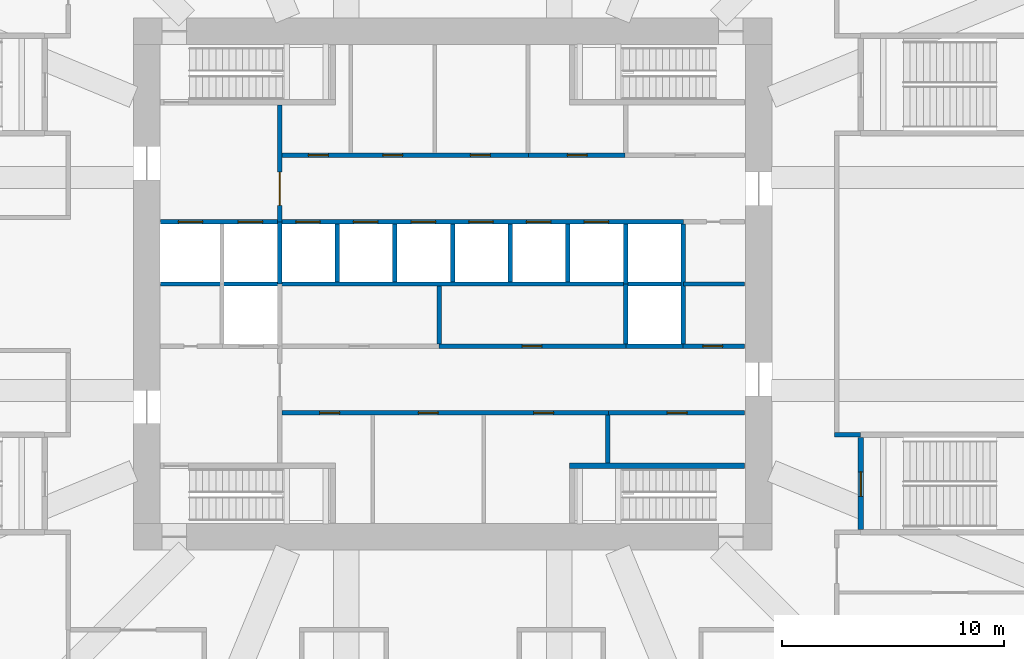
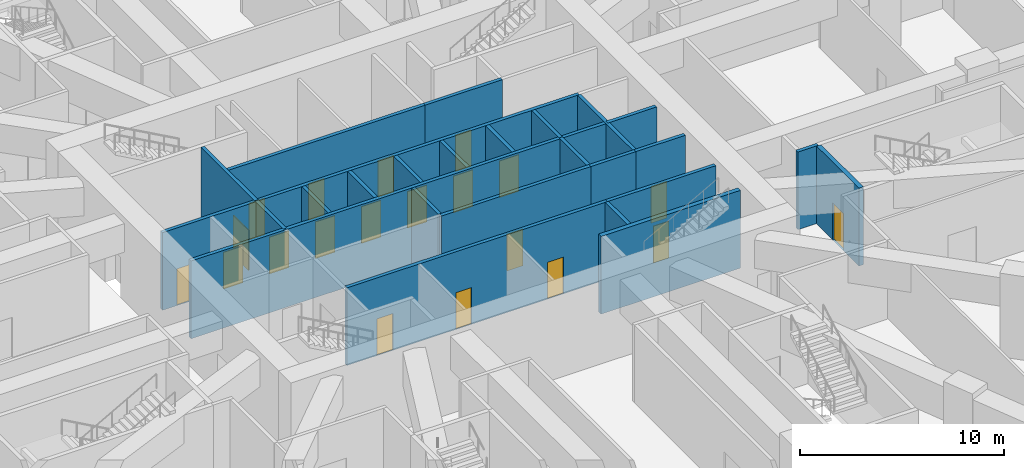
# One storey, part 17 of 25: 25 walls, 20 doors, 20 openings.
"""IFC4 building model written with IfcOpenShell, lengths in metres."""

from ifc_helpers import new_model, si_unit, direction, frame, frame_2d, origin, place, context, subcontext, project, spatial, rectangle, extrude, material, layer, layer_set, type_object, element, fill, save


model = new_model("IFC4")

# Units and contexts
model_context = context("Model", 3, precision=1e-05, world=origin(), true_north=direction((0.0, 1.0)))
body_context = subcontext(model_context, "Body", "Model", "MODEL_VIEW")
ifc_project = project(units=[si_unit("LENGTHUNIT", "METRE"), si_unit("AREAUNIT", "SQUARE_METRE"), si_unit("VOLUMEUNIT", "CUBIC_METRE"), si_unit("PLANEANGLEUNIT", "RADIAN"), si_unit("MASSUNIT", "GRAM", prefix="KILO")], contexts=[model_context])

# Site, building, storey
site_placement = place(None, origin())
site = spatial("IfcSite", under=ifc_project, at=site_placement, CompositionType="ELEMENT")
building_placement = place(site_placement, origin())
building = spatial("IfcBuilding", under=site, at=building_placement, Name="Msitu Wima Residences", CompositionType="ELEMENT")
storey_placement = place(building_placement, frame((0.0, 0.0, 11.0)))
storey = spatial("IfcBuildingStorey", under=building, at=storey_placement, Name="L02", CompositionType="ELEMENT", Elevation=11.0)

# Wall, openings, doors
ifc_material_1 = material(Name="Plaster")
ifc_layer_1 = layer(ifc_material_1, 0.011962890625, Name="Plaster")
ifc_material_2 = material(Name="Concrete blockwork", Category="masonry")
ifc_layer_2 = layer(ifc_material_2, 0.176025390625, Name="Concrete blockwork")
ifc_layer_3 = layer(ifc_material_1, 0.011962890625, Name="Plaster")
ifc_layer_set_1 = layer_set([ifc_layer_1, ifc_layer_2, ifc_layer_3], Name="Concrete blockwork")
wall_type_1 = type_object("IfcWallType", Name="Corridor wall FW200", PredefinedType="PARTITIONING", material=ifc_layer_set_1)
wall_1_placement = place(storey_placement, frame((-7.699951171875, -5.800048828125, 0.0), z_axis=(0.0, 0.0, 1.0), x_axis=(1.0, 0.0, 0.0)))
wall_1 = element("IfcWall", 1, at=wall_1_placement, inside=storey, type_object=wall_type_1, Name="Corridor wall", PredefinedType="PARTITIONING", context=body_context, shape_type="SweptSolid", body=[
    extrude(rectangle(XDim=14.719970703125, YDim=0.199951171875, at=frame_2d((7.35986328125, 0.0))), origin(), (0.0, 0.0, 1.0), 4.64990234375),
])
opening_1_placement = place(wall_1_placement, frame((1.699951171875, 0.0, 0.0)))
opening_1 = element("IfcOpeningElement", 2, at=opening_1_placement, cuts=wall_1, Name="Opening D02.017", PredefinedType="OPENING", context=body_context, shape_type="SweptSolid", body=[
    extrude(rectangle(XDim=0.89990234375, YDim=2.199951171875, at=frame_2d((0.449951171875, 1.10009765625))), frame((0.0, 0.10986328125, 0.0), z_axis=(0.0, -1.0, 0.0), x_axis=(1.0, 0.0, 0.0)), (0.0, 0.0, 1.0), 0.219970703125),
])
opening_2_placement = place(wall_1_placement, frame((6.14990234375, 0.0, 0.0)))
opening_2 = element("IfcOpeningElement", 3, at=opening_2_placement, cuts=wall_1, Name="Opening D02.018", PredefinedType="OPENING", context=body_context, shape_type="SweptSolid", body=[
    extrude(rectangle(XDim=0.89990234375, YDim=2.199951171875, at=frame_2d((0.449951171875, 1.10009765625))), frame((0.0, 0.10986328125, 0.0), z_axis=(0.0, -1.0, 0.0), x_axis=(1.0, 0.0, 0.0)), (0.0, 0.0, 1.0), 0.219970703125),
])
opening_3_placement = place(wall_1_placement, frame((11.35009765625, 0.0, 0.0)))
opening_3 = element("IfcOpeningElement", 4, at=opening_3_placement, cuts=wall_1, Name="Opening D02.019", PredefinedType="OPENING", context=body_context, shape_type="SweptSolid", body=[
    extrude(rectangle(XDim=0.89990234375, YDim=2.199951171875, at=frame_2d((0.449951171875, 1.10009765625))), frame((0.0, 0.10986328125, 0.0), z_axis=(0.0, -1.0, 0.0), x_axis=(1.0, 0.0, 0.0)), (0.0, 0.0, 1.0), 0.219970703125),
])
ifc_material_3 = material(Name="Timber flush door", Category="wood")
door_type_1 = type_object("IfcDoorType", Name="Service door D05 900x2200", OperationType="SINGLE_SWING_LEFT", PredefinedType="DOOR", material=ifc_material_3)
door_1_placement = place(opening_1_placement, origin())
door_1 = element("IfcDoor", 5, at=door_1_placement, inside=storey, type_object=door_type_1, Name="Service door", OperationType="SINGLE_SWING_LEFT", OverallHeight=2.199951171875, OverallWidth=0.89990234375, PredefinedType="DOOR", context=body_context, shape_type="SweptSolid", body=[
    extrude(rectangle(XDim=0.89990234375, YDim=2.199951171875, at=frame_2d((0.449951171875, 1.10009765625))), frame((0.0, 0.02490234375, 0.0), z_axis=(0.0, -1.0, 0.0), x_axis=(1.0, 0.0, 0.0)), (0.0, 0.0, 1.0), 0.050048828125),
])
fill(opening_1, door_1)
door_2_placement = place(opening_2_placement, origin())
door_2 = element("IfcDoor", 6, at=door_2_placement, inside=storey, type_object=door_type_1, Name="Service door", OperationType="SINGLE_SWING_RIGHT", OverallHeight=2.199951171875, OverallWidth=0.89990234375, PredefinedType="DOOR", context=body_context, shape_type="SweptSolid", body=[
    extrude(rectangle(XDim=0.89990234375, YDim=2.199951171875, at=frame_2d((0.449951171875, 1.10009765625))), frame((0.0, 0.02490234375, 0.0), z_axis=(0.0, -1.0, 0.0), x_axis=(1.0, 0.0, 0.0)), (0.0, 0.0, 1.0), 0.050048828125),
])
fill(opening_2, door_2)
door_3_placement = place(opening_3_placement, origin())
door_3 = element("IfcDoor", 7, at=door_3_placement, inside=storey, type_object=door_type_1, Name="Service door", OperationType="SINGLE_SWING_RIGHT", OverallHeight=2.199951171875, OverallWidth=0.89990234375, PredefinedType="DOOR", context=body_context, shape_type="SweptSolid", body=[
    extrude(rectangle(XDim=0.89990234375, YDim=2.199951171875, at=frame_2d((0.449951171875, 1.10009765625))), frame((0.0, 0.02490234375, 0.0), z_axis=(0.0, -1.0, 0.0), x_axis=(1.0, 0.0, 0.0)), (0.0, 0.0, 1.0), 0.050048828125),
])
fill(opening_3, door_3)

# Wall, opening, door
wall_2_placement = place(storey_placement, frame((-7.800048828125, 2.800048828125, 0.0), z_axis=(0.0, 0.0, 1.0), x_axis=(0.0, 1.0, 0.0)))
wall_2 = element("IfcWall", 8, at=wall_2_placement, inside=storey, type_object=wall_type_1, Name="Corridor wall", PredefinedType="PARTITIONING", context=body_context, shape_type="SweptSolid", body=[
    extrude(rectangle(XDim=5.27490234375, YDim=0.199951171875, at=frame_2d((2.637451171875, 0.0))), origin(), (0.0, 0.0, 1.0), 4.64990234375),
])
opening_4_placement = place(wall_2_placement, frame((0.75, 0.0, 0.0)))
opening_4 = element("IfcOpeningElement", 9, at=opening_4_placement, cuts=wall_2, Name="Opening D02.010", PredefinedType="OPENING", context=body_context, shape_type="SweptSolid", body=[
    extrude(rectangle(XDim=1.5, YDim=2.39990234375, at=frame_2d((0.75, 1.199951171875))), frame((0.0, 0.10986328125, 0.0), z_axis=(0.0, -1.0, 0.0), x_axis=(1.0, 0.0, 0.0)), (0.0, 0.0, 1.0), 0.219970703125),
])
ifc_material_4 = material(Name="Steel framed glazed door, fire resisting", Category="steel")
door_type_2 = type_object("IfcDoorType", Name="Lobby door D07 1500x2400", OperationType="DOUBLE_DOOR_SINGLE_SWING", PredefinedType="DOOR", material=ifc_material_4)
door_4_placement = place(opening_4_placement, origin())
door_4 = element("IfcDoor", 10, at=door_4_placement, inside=storey, type_object=door_type_2, Name="Lobby door", OperationType="DOUBLE_DOOR_SINGLE_SWING", OverallHeight=2.39990234375, OverallWidth=1.5, PredefinedType="DOOR", context=body_context, shape_type="SweptSolid", body=[
    extrude(rectangle(XDim=1.5, YDim=2.39990234375, at=frame_2d((0.75, 1.199951171875))), frame((0.0, 0.02490234375, 0.0), z_axis=(0.0, -1.0, 0.0), x_axis=(1.0, 0.0, 0.0)), (0.0, 0.0, 1.0), 0.050048828125),
])
fill(opening_4, door_4)

# Wall, openings, doors
wall_3_placement = place(storey_placement, frame((-7.699951171875, 5.800048828125, 0.0), z_axis=(0.0, 0.0, 1.0), x_axis=(1.0, 0.0, 0.0)))
wall_3 = element("IfcWall", 11, at=wall_3_placement, inside=storey, type_object=wall_type_1, Name="Corridor wall", PredefinedType="PARTITIONING", context=body_context, shape_type="SweptSolid", body=[
    extrude(rectangle(XDim=11.119873046875, YDim=0.199951171875, at=frame_2d((5.56005859375, 0.0))), origin(), (0.0, 0.0, 1.0), 4.64990234375),
])
opening_5_placement = place(wall_3_placement, frame((1.199951171875, 0.0, 0.0)))
opening_5 = element("IfcOpeningElement", 12, at=opening_5_placement, cuts=wall_3, Name="Opening D02.012", PredefinedType="OPENING", context=body_context, shape_type="SweptSolid", body=[
    extrude(rectangle(XDim=0.89990234375, YDim=2.199951171875, at=frame_2d((0.449951171875, 1.10009765625))), frame((0.0, 0.10986328125, 0.0), z_axis=(0.0, -1.0, 0.0), x_axis=(1.0, 0.0, 0.0)), (0.0, 0.0, 1.0), 0.219970703125),
])
opening_6_placement = place(wall_3_placement, frame((4.550048828125, 0.0, 0.0)))
opening_6 = element("IfcOpeningElement", 13, at=opening_6_placement, cuts=wall_3, Name="Opening D02.013", PredefinedType="OPENING", context=body_context, shape_type="SweptSolid", body=[
    extrude(rectangle(XDim=0.89990234375, YDim=2.199951171875, at=frame_2d((0.449951171875, 1.10009765625))), frame((0.0, 0.10986328125, 0.0), z_axis=(0.0, -1.0, 0.0), x_axis=(1.0, 0.0, 0.0)), (0.0, 0.0, 1.0), 0.219970703125),
])
opening_7_placement = place(wall_3_placement, frame((8.5, 0.0, 0.0)))
opening_7 = element("IfcOpeningElement", 14, at=opening_7_placement, cuts=wall_3, Name="Opening D02.014", PredefinedType="OPENING", context=body_context, shape_type="SweptSolid", body=[
    extrude(rectangle(XDim=0.89990234375, YDim=2.199951171875, at=frame_2d((0.449951171875, 1.10009765625))), frame((0.0, 0.10986328125, 0.0), z_axis=(0.0, -1.0, 0.0), x_axis=(1.0, 0.0, 0.0)), (0.0, 0.0, 1.0), 0.219970703125),
])
door_5_placement = place(opening_5_placement, origin())
door_5 = element("IfcDoor", 15, at=door_5_placement, inside=storey, type_object=door_type_1, Name="Service door", OperationType="SINGLE_SWING_RIGHT", OverallHeight=2.199951171875, OverallWidth=0.89990234375, PredefinedType="DOOR", context=body_context, shape_type="SweptSolid", body=[
    extrude(rectangle(XDim=0.89990234375, YDim=2.199951171875, at=frame_2d((0.449951171875, 1.10009765625))), frame((0.0, 0.02490234375, 0.0), z_axis=(0.0, -1.0, 0.0), x_axis=(1.0, 0.0, 0.0)), (0.0, 0.0, 1.0), 0.050048828125),
])
fill(opening_5, door_5)
door_6_placement = place(opening_6_placement, origin())
door_6 = element("IfcDoor", 16, at=door_6_placement, inside=storey, type_object=door_type_1, Name="Service door", OperationType="SINGLE_SWING_LEFT", OverallHeight=2.199951171875, OverallWidth=0.89990234375, PredefinedType="DOOR", context=body_context, shape_type="SweptSolid", body=[
    extrude(rectangle(XDim=0.89990234375, YDim=2.199951171875, at=frame_2d((0.449951171875, 1.10009765625))), frame((0.0, 0.02490234375, 0.0), z_axis=(0.0, -1.0, 0.0), x_axis=(1.0, 0.0, 0.0)), (0.0, 0.0, 1.0), 0.050048828125),
])
fill(opening_6, door_6)
door_7_placement = place(opening_7_placement, origin())
door_7 = element("IfcDoor", 17, at=door_7_placement, inside=storey, type_object=door_type_1, Name="Service door", OperationType="SINGLE_SWING_LEFT", OverallHeight=2.199951171875, OverallWidth=0.89990234375, PredefinedType="DOOR", context=body_context, shape_type="SweptSolid", body=[
    extrude(rectangle(XDim=0.89990234375, YDim=2.199951171875, at=frame_2d((0.449951171875, 1.10009765625))), frame((0.0, 0.02490234375, 0.0), z_axis=(0.0, -1.0, 0.0), x_axis=(1.0, 0.0, 0.0)), (0.0, 0.0, 1.0), 0.050048828125),
])
fill(opening_7, door_7)

# Wall
wall_4_placement = place(storey_placement, frame((17.22802734375, -6.800048828125, 0.0), z_axis=(0.0, 0.0, 1.0), x_axis=(1.0, 0.0, 0.0)))
element("IfcWall", 18, at=wall_4_placement, inside=storey, type_object=wall_type_1, Name="Corridor wall", PredefinedType="PARTITIONING", context=body_context, shape_type="SweptSolid", body=[
    extrude(rectangle(XDim=1.171875, YDim=0.199951171875, at=frame_2d((0.5859375, 0.0))), origin(), (0.0, 0.0, 1.0), 4.64990234375),
])

# Wall, opening, door
ifc_layer_4 = layer(ifc_material_1, 0.011962890625, Name="Plaster")
ifc_material_5 = material(Name="Reinforced concrete blockwork", Category="masonry")
ifc_layer_5 = layer(ifc_material_5, 0.176025390625, Name="Reinforced concrete blockwork")
ifc_layer_6 = layer(ifc_material_1, 0.011962890625, Name="Plaster")
ifc_layer_set_2 = layer_set([ifc_layer_4, ifc_layer_5, ifc_layer_6], Name="Reinforced concrete blockwork")
wall_type_2 = type_object("IfcWallType", Name="Plant and riser wall PL200", PredefinedType="PARTITIONING", material=ifc_layer_set_2)
wall_5_placement = place(storey_placement, frame((-0.6201171875, -2.800048828125, 0.0), z_axis=(0.0, 0.0, 1.0), x_axis=(1.0, 0.0, 0.0)))
wall_5 = element("IfcWall", 19, at=wall_5_placement, inside=storey, type_object=wall_type_2, Name="Plant and riser wall", PredefinedType="PARTITIONING", context=body_context, shape_type="SweptSolid", body=[
    extrude(rectangle(XDim=8.440185546875, YDim=0.199951171875, at=frame_2d((4.22021484375, 0.0))), origin(), (0.0, 0.0, 1.0), 4.64990234375),
])
opening_8_placement = place(wall_5_placement, frame((3.75, 0.0, 0.0)))
opening_8 = element("IfcOpeningElement", 20, at=opening_8_placement, cuts=wall_5, Name="Opening D02.024", PredefinedType="OPENING", context=body_context, shape_type="SweptSolid", body=[
    extrude(rectangle(XDim=0.89990234375, YDim=2.199951171875, at=frame_2d((0.449951171875, 1.10009765625))), frame((0.0, 0.10986328125, 0.0), z_axis=(0.0, -1.0, 0.0), x_axis=(1.0, 0.0, 0.0)), (0.0, 0.0, 1.0), 0.219970703125),
])
door_8_placement = place(opening_8_placement, origin())
door_8 = element("IfcDoor", 21, at=door_8_placement, inside=storey, type_object=door_type_1, Name="Service door", OperationType="SINGLE_SWING_LEFT", OverallHeight=2.199951171875, OverallWidth=0.89990234375, PredefinedType="DOOR", context=body_context, shape_type="SweptSolid", body=[
    extrude(rectangle(XDim=0.89990234375, YDim=2.199951171875, at=frame_2d((0.449951171875, 1.10009765625))), frame((0.0, 0.02490234375, 0.0), z_axis=(0.0, -1.0, 0.0), x_axis=(1.0, 0.0, 0.0)), (0.0, 0.0, 1.0), 0.050048828125),
])
fill(opening_8, door_8)

# Wall
wall_6_placement = place(storey_placement, frame((-0.60009765625, -2.699951171875, 0.0), z_axis=(0.0, 0.0, 1.0), x_axis=(0.0, 1.0, 0.0)))
element("IfcWall", 22, at=wall_6_placement, inside=storey, type_object=wall_type_2, Name="Plant and riser wall", PredefinedType="PARTITIONING", context=body_context, shape_type="SweptSolid", body=[
    extrude(rectangle(XDim=2.599853515625, YDim=0.199951171875, at=frame_2d((1.2998046875, 0.0))), origin(), (0.0, 0.0, 1.0), 4.64990234375),
])

# Wall, opening, door
wall_7_placement = place(storey_placement, frame((3.419921875, 5.800048828125, 0.0), z_axis=(0.0, 0.0, 1.0), x_axis=(1.0, 0.0, 0.0)))
wall_7 = element("IfcWall", 23, at=wall_7_placement, inside=storey, type_object=wall_type_2, Name="Plant and riser wall", PredefinedType="PARTITIONING", context=body_context, shape_type="SweptSolid", body=[
    extrude(rectangle(XDim=4.360107421875, YDim=0.199951171875, at=frame_2d((2.18017578125, 0.0))), origin(), (0.0, 0.0, 1.0), 4.64990234375),
])
opening_9_placement = place(wall_7_placement, frame((1.75, 0.0, 0.0)))
opening_9 = element("IfcOpeningElement", 24, at=opening_9_placement, cuts=wall_7, Name="Opening D02.015", PredefinedType="OPENING", context=body_context, shape_type="SweptSolid", body=[
    extrude(rectangle(XDim=0.89990234375, YDim=2.199951171875, at=frame_2d((0.449951171875, 1.10009765625))), frame((0.0, 0.10986328125, 0.0), z_axis=(0.0, -1.0, 0.0), x_axis=(1.0, 0.0, 0.0)), (0.0, 0.0, 1.0), 0.219970703125),
])
door_9_placement = place(opening_9_placement, origin())
door_9 = element("IfcDoor", 25, at=door_9_placement, inside=storey, type_object=door_type_1, Name="Service door", OperationType="SINGLE_SWING_RIGHT", OverallHeight=2.199951171875, OverallWidth=0.89990234375, PredefinedType="DOOR", context=body_context, shape_type="SweptSolid", body=[
    extrude(rectangle(XDim=0.89990234375, YDim=2.199951171875, at=frame_2d((0.449951171875, 1.10009765625))), frame((0.0, 0.02490234375, 0.0), z_axis=(0.0, -1.0, 0.0), x_axis=(1.0, 0.0, 0.0)), (0.0, 0.0, 1.0), 0.050048828125),
])
fill(opening_9, door_9)

wall_8_placement = place(storey_placement, frame((7.02001953125, -5.800048828125, 0.0), z_axis=(0.0, 0.0, 1.0), x_axis=(1.0, 0.0, 0.0)))
wall_8 = element("IfcWall", 26, at=wall_8_placement, inside=storey, type_object=wall_type_2, Name="Plant and riser wall", PredefinedType="PARTITIONING", context=body_context, shape_type="SweptSolid", body=[
    extrude(rectangle(XDim=6.14990234375, YDim=0.199951171875, at=frame_2d((3.074951171875, 0.0))), origin(), (0.0, 0.0, 1.0), 4.64990234375),
])
opening_10_placement = place(wall_8_placement, frame((2.64990234375, 0.0, 0.0)))
opening_10 = element("IfcOpeningElement", 27, at=opening_10_placement, cuts=wall_8, Name="Opening D02.020", PredefinedType="OPENING", context=body_context, shape_type="SweptSolid", body=[
    extrude(rectangle(XDim=0.89990234375, YDim=2.199951171875, at=frame_2d((0.449951171875, 1.10009765625))), frame((0.0, 0.10986328125, 0.0), z_axis=(0.0, -1.0, 0.0), x_axis=(1.0, 0.0, 0.0)), (0.0, 0.0, 1.0), 0.219970703125),
])
door_10_placement = place(opening_10_placement, origin())
door_10 = element("IfcDoor", 28, at=door_10_placement, inside=storey, type_object=door_type_1, Name="Service door", OperationType="SINGLE_SWING_RIGHT", OverallHeight=2.199951171875, OverallWidth=0.89990234375, PredefinedType="DOOR", context=body_context, shape_type="SweptSolid", body=[
    extrude(rectangle(XDim=0.89990234375, YDim=2.199951171875, at=frame_2d((0.449951171875, 1.10009765625))), frame((0.0, 0.02490234375, 0.0), z_axis=(0.0, -1.0, 0.0), x_axis=(1.0, 0.0, 0.0)), (0.0, 0.0, 1.0), 0.050048828125),
])
fill(opening_10, door_10)

# Wall
wall_9_placement = place(storey_placement, frame((7.0, -8.074951171875, 0.0), z_axis=(0.0, 0.0, 1.0), x_axis=(0.0, 1.0, 0.0)))
element("IfcWall", 29, at=wall_9_placement, inside=storey, type_object=wall_type_2, Name="Plant and riser wall", PredefinedType="PARTITIONING", context=body_context, shape_type="SweptSolid", body=[
    extrude(rectangle(XDim=2.175048828125, YDim=0.199951171875, at=frame_2d((1.08740234375, 0.0))), origin(), (0.0, 0.0, 1.0), 4.64990234375),
])

# Wall, opening, door
wall_10_placement = place(storey_placement, frame((10.3798828125, -2.800048828125, 0.0), z_axis=(0.0, 0.0, 1.0), x_axis=(1.0, 0.0, 0.0)))
wall_10 = element("IfcWall", 30, at=wall_10_placement, inside=storey, type_object=wall_type_2, Name="Plant and riser wall", PredefinedType="PARTITIONING", context=body_context, shape_type="SweptSolid", body=[
    extrude(rectangle(XDim=2.7900390625, YDim=0.199951171875, at=frame_2d((1.39501953125, 0.0))), origin(), (0.0, 0.0, 1.0), 4.64990234375),
])
opening_11_placement = place(wall_10_placement, frame((0.89990234375, 0.0, 0.0)))
opening_11 = element("IfcOpeningElement", 31, at=opening_11_placement, cuts=wall_10, Name="Opening D02.009", PredefinedType="OPENING", context=body_context, shape_type="SweptSolid", body=[
    extrude(rectangle(XDim=0.89990234375, YDim=2.199951171875, at=frame_2d((0.449951171875, 1.10009765625))), frame((0.0, 0.10986328125, 0.0), z_axis=(0.0, -1.0, 0.0), x_axis=(1.0, 0.0, 0.0)), (0.0, 0.0, 1.0), 0.219970703125),
])
door_11_placement = place(opening_11_placement, origin())
door_11 = element("IfcDoor", 32, at=door_11_placement, inside=storey, type_object=door_type_1, Name="Service door", OperationType="SINGLE_SWING_LEFT", OverallHeight=2.199951171875, OverallWidth=0.89990234375, PredefinedType="DOOR", context=body_context, shape_type="SweptSolid", body=[
    extrude(rectangle(XDim=0.89990234375, YDim=2.199951171875, at=frame_2d((0.449951171875, 1.10009765625))), frame((0.0, 0.02490234375, 0.0), z_axis=(0.0, -1.0, 0.0), x_axis=(1.0, 0.0, 0.0)), (0.0, 0.0, 1.0), 0.050048828125),
])
fill(opening_11, door_11)

# Walls
wall_11_placement = place(storey_placement, frame((10.39990234375, 0.0, 0.0), z_axis=(0.0, 0.0, 1.0), x_axis=(1.0, 0.0, 0.0)))
element("IfcWall", 33, at=wall_11_placement, inside=storey, type_object=wall_type_2, Name="Plant and riser wall", PredefinedType="PARTITIONING", context=body_context, shape_type="SweptSolid", body=[
    extrude(rectangle(XDim=2.77001953125, YDim=0.199951171875, at=frame_2d((1.385009765625, 0.0))), origin(), (0.0, 0.0, 1.0), 4.64990234375),
])
ifc_material_6 = material(Name="Fire-rated board")
ifc_layer_7 = layer(ifc_material_6, 0.02490234375, Name="Fire-rated board")
ifc_material_7 = material(Name="Light-gauge stud framing with mineral wool")
ifc_layer_8 = layer(ifc_material_7, 0.14990234375, Name="Light-gauge stud framing with mineral wool")
ifc_layer_9 = layer(ifc_material_6, 0.02490234375, Name="Fire-rated board")
ifc_layer_set_3 = layer_set([ifc_layer_7, ifc_layer_8, ifc_layer_9], Name="Light-gauge stud framing with mineral wool")
wall_type_3 = type_object("IfcWallType", Name="Shaft wall SH200", PredefinedType="PARTITIONING", material=ifc_layer_set_3)
wall_12_placement = place(storey_placement, frame((-13.169921875, 0.0, 0.0), z_axis=(0.0, 0.0, 1.0), x_axis=(1.0, 0.0, 0.0)))
element("IfcWall", 34, at=wall_12_placement, inside=storey, type_object=wall_type_3, Name="Shaft wall", PredefinedType="PARTITIONING", context=body_context, shape_type="SweptSolid", body=[
    extrude(rectangle(XDim=23.56982421875, YDim=0.199951171875, at=frame_2d((11.784912109375, 0.0))), origin(), (0.0, 0.0, 1.0), 4.64990234375),
])

# Wall, openings, doors
wall_13_placement = place(storey_placement, frame((-13.169921875, 2.800048828125, 0.0), z_axis=(0.0, 0.0, 1.0), x_axis=(1.0, 0.0, 0.0)))
wall_13 = element("IfcWall", 35, at=wall_13_placement, inside=storey, type_object=wall_type_3, Name="Shaft wall", PredefinedType="PARTITIONING", context=body_context, shape_type="SweptSolid", body=[
    extrude(rectangle(XDim=23.56982421875, YDim=0.199951171875, at=frame_2d((11.784912109375, 0.0))), origin(), (0.0, 0.0, 1.0), 4.64990234375),
])
opening_12_placement = place(wall_13_placement, frame((0.800048828125, 0.0, 0.0)))
opening_12 = element("IfcOpeningElement", 36, at=opening_12_placement, cuts=wall_13, Name="Opening LD", PredefinedType="OPENING", context=body_context, shape_type="SweptSolid", body=[
    extrude(rectangle(XDim=1.10009765625, YDim=2.199951171875, at=frame_2d((0.550048828125, 1.10009765625))), frame((0.0, 0.10986328125, 0.0), z_axis=(0.0, -1.0, 0.0), x_axis=(1.0, 0.0, 0.0)), (0.0, 0.0, 1.0), 0.219970703125),
])
opening_13_placement = place(wall_13_placement, frame((3.5, 0.0, 0.0)))
opening_13 = element("IfcOpeningElement", 37, at=opening_13_placement, cuts=wall_13, Name="Opening LD", PredefinedType="OPENING", context=body_context, shape_type="SweptSolid", body=[
    extrude(rectangle(XDim=1.10009765625, YDim=2.199951171875, at=frame_2d((0.550048828125, 1.10009765625))), frame((0.0, 0.10986328125, 0.0), z_axis=(0.0, -1.0, 0.0), x_axis=(1.0, 0.0, 0.0)), (0.0, 0.0, 1.0), 0.219970703125),
])
opening_14_placement = place(wall_13_placement, frame((6.10009765625, 0.0, 0.0)))
opening_14 = element("IfcOpeningElement", 38, at=opening_14_placement, cuts=wall_13, Name="Opening LD", PredefinedType="OPENING", context=body_context, shape_type="SweptSolid", body=[
    extrude(rectangle(XDim=1.10009765625, YDim=2.199951171875, at=frame_2d((0.550048828125, 1.10009765625))), frame((0.0, 0.10986328125, 0.0), z_axis=(0.0, -1.0, 0.0), x_axis=(1.0, 0.0, 0.0)), (0.0, 0.0, 1.0), 0.219970703125),
])
opening_15_placement = place(wall_13_placement, frame((8.699951171875, 0.0, 0.0)))
opening_15 = element("IfcOpeningElement", 39, at=opening_15_placement, cuts=wall_13, Name="Opening LD", PredefinedType="OPENING", context=body_context, shape_type="SweptSolid", body=[
    extrude(rectangle(XDim=1.10009765625, YDim=2.199951171875, at=frame_2d((0.550048828125, 1.10009765625))), frame((0.0, 0.10986328125, 0.0), z_axis=(0.0, -1.0, 0.0), x_axis=(1.0, 0.0, 0.0)), (0.0, 0.0, 1.0), 0.219970703125),
])
opening_16_placement = place(wall_13_placement, frame((11.300048828125, 0.0, 0.0)))
opening_16 = element("IfcOpeningElement", 40, at=opening_16_placement, cuts=wall_13, Name="Opening LD", PredefinedType="OPENING", context=body_context, shape_type="SweptSolid", body=[
    extrude(rectangle(XDim=1.10009765625, YDim=2.199951171875, at=frame_2d((0.550048828125, 1.10009765625))), frame((0.0, 0.10986328125, 0.0), z_axis=(0.0, -1.0, 0.0), x_axis=(1.0, 0.0, 0.0)), (0.0, 0.0, 1.0), 0.219970703125),
])
opening_17_placement = place(wall_13_placement, frame((13.89990234375, 0.0, 0.0)))
opening_17 = element("IfcOpeningElement", 41, at=opening_17_placement, cuts=wall_13, Name="Opening LD", PredefinedType="OPENING", context=body_context, shape_type="SweptSolid", body=[
    extrude(rectangle(XDim=1.10009765625, YDim=2.199951171875, at=frame_2d((0.550048828125, 1.10009765625))), frame((0.0, 0.10986328125, 0.0), z_axis=(0.0, -1.0, 0.0), x_axis=(1.0, 0.0, 0.0)), (0.0, 0.0, 1.0), 0.219970703125),
])
opening_18_placement = place(wall_13_placement, frame((16.5, 0.0, 0.0)))
opening_18 = element("IfcOpeningElement", 42, at=opening_18_placement, cuts=wall_13, Name="Opening LD", PredefinedType="OPENING", context=body_context, shape_type="SweptSolid", body=[
    extrude(rectangle(XDim=1.10009765625, YDim=2.199951171875, at=frame_2d((0.550048828125, 1.10009765625))), frame((0.0, 0.10986328125, 0.0), z_axis=(0.0, -1.0, 0.0), x_axis=(1.0, 0.0, 0.0)), (0.0, 0.0, 1.0), 0.219970703125),
])
opening_19_placement = place(wall_13_placement, frame((19.10009765625, 0.0, 0.0)))
opening_19 = element("IfcOpeningElement", 43, at=opening_19_placement, cuts=wall_13, Name="Opening LD", PredefinedType="OPENING", context=body_context, shape_type="SweptSolid", body=[
    extrude(rectangle(XDim=1.10009765625, YDim=2.199951171875, at=frame_2d((0.550048828125, 1.10009765625))), frame((0.0, 0.10986328125, 0.0), z_axis=(0.0, -1.0, 0.0), x_axis=(1.0, 0.0, 0.0)), (0.0, 0.0, 1.0), 0.219970703125),
])
ifc_material_8 = material(Name="Stainless steel centre-opening landing door, rated", Category="steel")
door_type_3 = type_object("IfcDoorType", Name="Lift landing door LD 1100x2200", OperationType="DOUBLE_DOOR_SLIDING", PredefinedType="DOOR", material=ifc_material_8)
door_12_placement = place(opening_12_placement, origin())
door_12 = element("IfcDoor", 44, at=door_12_placement, inside=storey, type_object=door_type_3, Name="Lift landing door LD1", OperationType="DOUBLE_DOOR_SLIDING", OverallHeight=2.199951171875, OverallWidth=1.10009765625, PredefinedType="DOOR", context=body_context, shape_type="SweptSolid", body=[
    extrude(rectangle(XDim=1.10009765625, YDim=2.199951171875, at=frame_2d((0.550048828125, 1.10009765625))), frame((0.0, 0.02490234375, 0.0), z_axis=(0.0, -1.0, 0.0), x_axis=(1.0, 0.0, 0.0)), (0.0, 0.0, 1.0), 0.050048828125),
])
fill(opening_12, door_12)
door_13_placement = place(opening_13_placement, origin())
door_13 = element("IfcDoor", 45, at=door_13_placement, inside=storey, type_object=door_type_3, Name="Lift landing door LD2", OperationType="DOUBLE_DOOR_SLIDING", OverallHeight=2.199951171875, OverallWidth=1.10009765625, PredefinedType="DOOR", context=body_context, shape_type="SweptSolid", body=[
    extrude(rectangle(XDim=1.10009765625, YDim=2.199951171875, at=frame_2d((0.550048828125, 1.10009765625))), frame((0.0, 0.02490234375, 0.0), z_axis=(0.0, -1.0, 0.0), x_axis=(1.0, 0.0, 0.0)), (0.0, 0.0, 1.0), 0.050048828125),
])
fill(opening_13, door_13)
door_14_placement = place(opening_14_placement, origin())
door_14 = element("IfcDoor", 46, at=door_14_placement, inside=storey, type_object=door_type_3, Name="Lift landing door LD4", OperationType="DOUBLE_DOOR_SLIDING", OverallHeight=2.199951171875, OverallWidth=1.10009765625, PredefinedType="DOOR", context=body_context, shape_type="SweptSolid", body=[
    extrude(rectangle(XDim=1.10009765625, YDim=2.199951171875, at=frame_2d((0.550048828125, 1.10009765625))), frame((0.0, 0.02490234375, 0.0), z_axis=(0.0, -1.0, 0.0), x_axis=(1.0, 0.0, 0.0)), (0.0, 0.0, 1.0), 0.050048828125),
])
fill(opening_14, door_14)
door_15_placement = place(opening_15_placement, origin())
door_15 = element("IfcDoor", 47, at=door_15_placement, inside=storey, type_object=door_type_3, Name="Lift landing door LD6", OperationType="DOUBLE_DOOR_SLIDING", OverallHeight=2.199951171875, OverallWidth=1.10009765625, PredefinedType="DOOR", context=body_context, shape_type="SweptSolid", body=[
    extrude(rectangle(XDim=1.10009765625, YDim=2.199951171875, at=frame_2d((0.550048828125, 1.10009765625))), frame((0.0, 0.02490234375, 0.0), z_axis=(0.0, -1.0, 0.0), x_axis=(1.0, 0.0, 0.0)), (0.0, 0.0, 1.0), 0.050048828125),
])
fill(opening_15, door_15)
door_16_placement = place(opening_16_placement, origin())
door_16 = element("IfcDoor", 48, at=door_16_placement, inside=storey, type_object=door_type_3, Name="Lift landing door LD8", OperationType="DOUBLE_DOOR_SLIDING", OverallHeight=2.199951171875, OverallWidth=1.10009765625, PredefinedType="DOOR", context=body_context, shape_type="SweptSolid", body=[
    extrude(rectangle(XDim=1.10009765625, YDim=2.199951171875, at=frame_2d((0.550048828125, 1.10009765625))), frame((0.0, 0.02490234375, 0.0), z_axis=(0.0, -1.0, 0.0), x_axis=(1.0, 0.0, 0.0)), (0.0, 0.0, 1.0), 0.050048828125),
])
fill(opening_16, door_16)
door_17_placement = place(opening_17_placement, origin())
door_17 = element("IfcDoor", 49, at=door_17_placement, inside=storey, type_object=door_type_3, Name="Lift landing door LD10", OperationType="DOUBLE_DOOR_SLIDING", OverallHeight=2.199951171875, OverallWidth=1.10009765625, PredefinedType="DOOR", context=body_context, shape_type="SweptSolid", body=[
    extrude(rectangle(XDim=1.10009765625, YDim=2.199951171875, at=frame_2d((0.550048828125, 1.10009765625))), frame((0.0, 0.02490234375, 0.0), z_axis=(0.0, -1.0, 0.0), x_axis=(1.0, 0.0, 0.0)), (0.0, 0.0, 1.0), 0.050048828125),
])
fill(opening_17, door_17)
door_18_placement = place(opening_18_placement, origin())
door_18 = element("IfcDoor", 50, at=door_18_placement, inside=storey, type_object=door_type_3, Name="Lift landing door LD12", OperationType="DOUBLE_DOOR_SLIDING", OverallHeight=2.199951171875, OverallWidth=1.10009765625, PredefinedType="DOOR", context=body_context, shape_type="SweptSolid", body=[
    extrude(rectangle(XDim=1.10009765625, YDim=2.199951171875, at=frame_2d((0.550048828125, 1.10009765625))), frame((0.0, 0.02490234375, 0.0), z_axis=(0.0, -1.0, 0.0), x_axis=(1.0, 0.0, 0.0)), (0.0, 0.0, 1.0), 0.050048828125),
])
fill(opening_18, door_18)
door_19_placement = place(opening_19_placement, origin())
door_19 = element("IfcDoor", 51, at=door_19_placement, inside=storey, type_object=door_type_3, Name="Lift landing door LD14", OperationType="DOUBLE_DOOR_SLIDING", OverallHeight=2.199951171875, OverallWidth=1.10009765625, PredefinedType="DOOR", context=body_context, shape_type="SweptSolid", body=[
    extrude(rectangle(XDim=1.10009765625, YDim=2.199951171875, at=frame_2d((0.550048828125, 1.10009765625))), frame((0.0, 0.02490234375, 0.0), z_axis=(0.0, -1.0, 0.0), x_axis=(1.0, 0.0, 0.0)), (0.0, 0.0, 1.0), 0.050048828125),
])
fill(opening_19, door_19)

# Walls
wall_14_placement = place(storey_placement, frame((-7.800048828125, 0.0, 0.0), z_axis=(0.0, 0.0, 1.0), x_axis=(0.0, 1.0, 0.0)))
element("IfcWall", 52, at=wall_14_placement, inside=storey, type_object=wall_type_3, Name="Shaft wall", PredefinedType="PARTITIONING", context=body_context, shape_type="SweptSolid", body=[
    extrude(rectangle(XDim=2.800048828125, YDim=0.199951171875, at=frame_2d((1.39990234375, 0.0))), origin(), (0.0, 0.0, 1.0), 4.64990234375),
])
for number, where, z_axis, x_axis, name in (
    (53, (-5.199951171875, 0.10009765625, 0.0), (0.0, 0.0, 1.0), (0.0, 1.0, 0.0), "Shaft wall"),
    (54, (-2.60009765625, 0.10009765625, 0.0), (0.0, 0.0, 1.0), (0.0, 1.0, 0.0), "Shaft wall"),
    (55, (0.0, 0.10009765625, 0.0), (0.0, 0.0, 1.0), (0.0, 1.0, 0.0), "Shaft wall"),
    (56, (2.60009765625, 0.10009765625, 0.0), (0.0, 0.0, 1.0), (0.0, 1.0, 0.0), "Shaft wall"),
    (57, (5.199951171875, 0.10009765625, 0.0), (0.0, 0.0, 1.0), (0.0, 1.0, 0.0), "Shaft wall"),
):
    element("IfcWall", number, at=place(storey_placement, frame(where, z_axis=z_axis, x_axis=x_axis)), inside=storey, type_object=wall_type_3, Name=name, PredefinedType="PARTITIONING", context=body_context, shape_type="SweptSolid", body=[
        extrude(rectangle(XDim=2.599853515625, YDim=0.199951171875, at=frame_2d((1.2998046875, 0.0))), origin(), (0.0, 0.0, 1.0), 4.64990234375),
    ])
wall_15_placement = place(storey_placement, frame((7.800048828125, -2.699951171875, 0.0), z_axis=(0.0, 0.0, 1.0), x_axis=(0.0, 1.0, 0.0)))
element("IfcWall", 58, at=wall_15_placement, inside=storey, type_object=wall_type_3, Name="Shaft wall", PredefinedType="PARTITIONING", context=body_context, shape_type="SweptSolid", body=[
    extrude(rectangle(XDim=2.699951171875, YDim=0.199951171875, at=frame_2d((1.35009765625, 0.0))), origin(), (0.0, 0.0, 1.0), 4.64990234375),
])
wall_16_placement = place(storey_placement, frame((7.820068359375, -2.800048828125, 0.0), z_axis=(0.0, 0.0, 1.0), x_axis=(1.0, 0.0, 0.0)))
element("IfcWall", 59, at=wall_16_placement, inside=storey, type_object=wall_type_3, Name="Shaft wall", PredefinedType="PARTITIONING", context=body_context, shape_type="SweptSolid", body=[
    extrude(rectangle(XDim=2.559814453125, YDim=0.199951171875, at=frame_2d((1.27978515625, 0.0))), origin(), (0.0, 0.0, 1.0), 4.64990234375),
])
wall_17_placement = place(storey_placement, frame((7.800048828125, 0.0, 0.0), z_axis=(0.0, 0.0, 1.0), x_axis=(0.0, 1.0, 0.0)))
element("IfcWall", 60, at=wall_17_placement, inside=storey, type_object=wall_type_3, Name="Shaft wall", PredefinedType="PARTITIONING", context=body_context, shape_type="SweptSolid", body=[
    extrude(rectangle(XDim=2.699951171875, YDim=0.199951171875, at=frame_2d((1.35009765625, 0.0))), origin(), (0.0, 0.0, 1.0), 4.64990234375),
])
wall_18_placement = place(storey_placement, frame((10.39990234375, -2.699951171875, 0.0), z_axis=(0.0, 0.0, 1.0), x_axis=(0.0, 1.0, 0.0)))
element("IfcWall", 61, at=wall_18_placement, inside=storey, type_object=wall_type_3, Name="Shaft wall", PredefinedType="PARTITIONING", context=body_context, shape_type="SweptSolid", body=[
    extrude(rectangle(XDim=5.39990234375, YDim=0.199951171875, at=frame_2d((2.699951171875, 0.0))), origin(), (0.0, 0.0, 1.0), 4.64990234375),
])
ifc_material_9 = material(Name="Concrete C50/60", Category="concrete")
ifc_layer_10 = layer(ifc_material_9, 0.25)
ifc_layer_set_4 = layer_set([ifc_layer_10], Name="Concrete C50/60")
wall_type_4 = type_object("IfcWallType", Name="Stair enclosure wall SW250", PredefinedType="SHEAR", material=ifc_layer_set_4)
wall_19_placement = place(storey_placement, frame((5.27490234375, -8.199951171875, 0.0), z_axis=(0.0, 0.0, 1.0), x_axis=(1.0, 0.0, 0.0)))
element("IfcWall", 62, at=wall_19_placement, inside=storey, type_object=wall_type_4, Name="Stair enclosure wall", PredefinedType="SHEAR", context=body_context, shape_type="SweptSolid", body=[
    extrude(rectangle(XDim=7.89501953125, YDim=0.25, at=frame_2d((3.947509765625, 0.0))), origin(), (0.0, 0.0, 1.0), 4.64990234375),
])

# Wall, opening, door
wall_20_placement = place(storey_placement, frame((18.39990234375, -11.074951171875, 0.0), z_axis=(0.0, 0.0, 1.0), x_axis=(0.0, 1.0, 0.0)))
wall_20 = element("IfcWall", 63, at=wall_20_placement, inside=storey, type_object=wall_type_4, Name="Stair enclosure wall", PredefinedType="SHEAR", context=body_context, shape_type="SweptSolid", body=[
    extrude(rectangle(XDim=4.14990234375, YDim=0.25, at=frame_2d((2.074951171875, 0.0))), origin(), (0.0, 0.0, 1.0), 4.64990234375),
])
opening_20_placement = place(wall_20_placement, frame((1.5, 0.0, 0.0)))
opening_20 = element("IfcOpeningElement", 64, at=opening_20_placement, cuts=wall_20, Name="Opening D02.053", PredefinedType="OPENING", context=body_context, shape_type="SweptSolid", body=[
    extrude(rectangle(XDim=1.10009765625, YDim=2.199951171875, at=frame_2d((0.550048828125, 1.10009765625))), frame((0.0, 0.135009765625, 0.0), z_axis=(0.0, -1.0, 0.0), x_axis=(1.0, 0.0, 0.0)), (0.0, 0.0, 1.0), 0.27001953125),
])
ifc_material_10 = material(Name="Steel door, fire resisting, panic bar", Category="steel")
door_type_4 = type_object("IfcDoorType", Name="Stair door D13 1100x2200", OperationType="SINGLE_SWING_LEFT", PredefinedType="DOOR", material=ifc_material_10)
door_20_placement = place(opening_20_placement, origin())
door_20 = element("IfcDoor", 65, at=door_20_placement, inside=storey, type_object=door_type_4, Name="Stair door", OperationType="SINGLE_SWING_RIGHT", OverallHeight=2.199951171875, OverallWidth=1.10009765625, PredefinedType="DOOR", context=body_context, shape_type="SweptSolid", body=[
    extrude(rectangle(XDim=1.10009765625, YDim=2.199951171875, at=frame_2d((0.550048828125, 1.10009765625))), frame((0.0, 0.02490234375, 0.0), z_axis=(0.0, -1.0, 0.0), x_axis=(1.0, 0.0, 0.0)), (0.0, 0.0, 1.0), 0.050048828125),
])
fill(opening_20, door_20)

save(model, "model.ifc")
